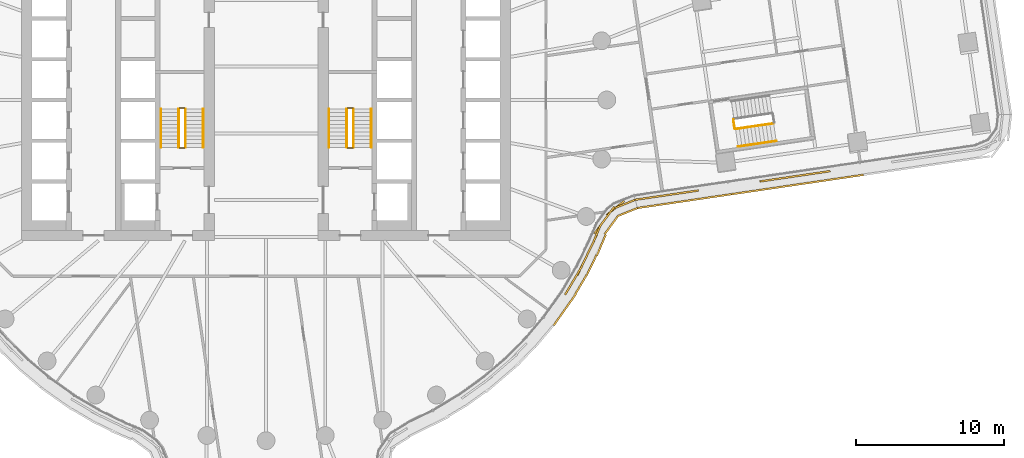
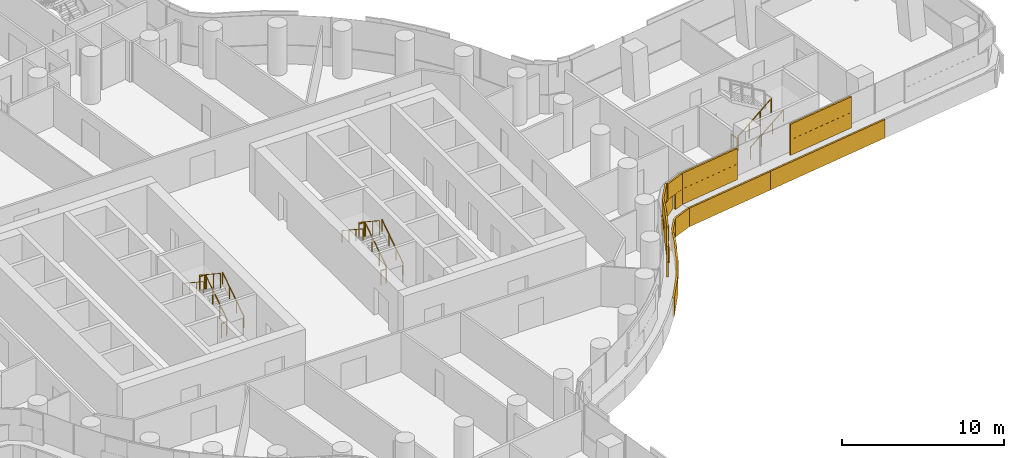
# One storey, part 28 of 31: 15 railings, 3 coverings.
"""IFC4 building model written with IfcOpenShell, lengths in metres."""

import ifcopenshell
import ifcopenshell.guid

model = None  # the IFC model being written
_history = None  # IfcOwnerHistory: only IFC2X3 demands one
_inside = {}  # id of a spatial element -> (the spatial element, [elements in it])
_under = {}  # id of a project, library or spatial element -> (it, [spatial elements below it])
_declared = {}  # id of a project -> (the project, [libraries it declares])
_typed = {}  # id of a type object -> (the type object, [elements of that type])
_made_of = {}  # id of a material, layer set ... -> (it, [elements and type objects made of it])


def new_model(schema):
    """Start an empty IFC model of exactly this schema.

    Asked for "IFC4X3", IfcOpenShell would pick the latest addendum, in which some entities
    have other attributes; the version numbers below select the first issue.
    IFC2X3 requires an IfcOwnerHistory on every rooted entity: one is made here for all.
    """
    global model, _history
    if schema == "IFC4X3":
        model = ifcopenshell.file(schema_version=(4, 3, 0, 0))
    else:
        model = ifcopenshell.file(schema=schema)
    _inside.clear()
    _under.clear()
    _declared.clear()
    _typed.clear()
    _made_of.clear()
    _history = None
    if model.schema == "IFC2X3":
        org = make("IfcOrganization", Name="unknown")
        user = make(
            "IfcPersonAndOrganization",
            ThePerson=make("IfcPerson", FamilyName="unknown"),
            TheOrganization=org,
        )
        app = make(
            "IfcApplication",
            ApplicationDeveloper=org,
            Version="unknown",
            ApplicationFullName="unknown",
            ApplicationIdentifier="unknown",
        )
        _history = make(
            "IfcOwnerHistory",
            OwningUser=user,
            OwningApplication=app,
            ChangeAction="ADDED",
            CreationDate=0,
        )
    return model


def make(cls, **values):
    """One entity of the class cls with the attributes given. An attribute that is None is left unset."""
    return model.create_entity(
        cls, **{name: value for name, value in values.items() if value is not None}
    )


def rooted(cls, **values):
    """An entity with a GlobalId (a new one), such as an element, a storey or a relation."""
    return make(cls, GlobalId=ifcopenshell.guid.new(), OwnerHistory=_history, **values)


def si_unit(unit_type, name, prefix=None):
    """IfcSIUnit, for example si_unit("LENGTHUNIT", "METRE", prefix="MILLI")."""
    return make("IfcSIUnit", UnitType=unit_type, Prefix=prefix, Name=name)


def assignment(units):
    """IfcUnitAssignment: the units of a project."""
    return None if units is None else make("IfcUnitAssignment", Units=units)


def point(xyz):
    """IfcCartesianPoint."""
    return None if xyz is None else make("IfcCartesianPoint", Coordinates=xyz)


def direction(xyz):
    """IfcDirection."""
    return None if xyz is None else make("IfcDirection", DirectionRatios=xyz)


def frame(location, z_axis=None, x_axis=None):
    """IfcAxis2Placement3D, a coordinate frame: its origin and axes. An axis left out is left unset."""
    return make(
        "IfcAxis2Placement3D",
        Location=point(location),
        Axis=direction(z_axis),
        RefDirection=direction(x_axis),
    )


def frame_2d(location, x_axis=None):
    """IfcAxis2Placement2D, a coordinate frame in the plane: its origin and x axis."""
    return make(
        "IfcAxis2Placement2D", Location=point(location), RefDirection=direction(x_axis)
    )


def origin():
    """The frame at (0, 0, 0) with its axes left unset."""
    return frame((0.0, 0.0, 0.0))


def origin_2d():
    """The frame at (0, 0) in the plane with its x axis left unset."""
    return frame_2d((0.0, 0.0))


def place(relative_to, where):
    """IfcLocalPlacement: puts the frame where relative to a parent placement (None: the world)."""
    return make(
        "IfcLocalPlacement", PlacementRelTo=relative_to, RelativePlacement=where
    )


def context(
    kind, dimensions, precision=None, world=None, true_north=None, identifier=None
):
    """IfcGeometricRepresentationContext, for example the 3D "Model" context."""
    return make(
        "IfcGeometricRepresentationContext",
        ContextIdentifier=identifier,
        ContextType=kind,
        CoordinateSpaceDimension=dimensions,
        Precision=precision,
        WorldCoordinateSystem=world,
        TrueNorth=true_north,
    )


def subcontext(parent, identifier, kind, view, scale=None):
    """IfcGeometricRepresentationSubContext, for example "Body" below "Model"."""
    return make(
        "IfcGeometricRepresentationSubContext",
        ContextIdentifier=identifier,
        ContextType=kind,
        ParentContext=parent,
        TargetScale=scale,
        TargetView=view,
    )


def project(units=None, contexts=None):
    """IfcProject with its units and contexts."""
    return rooted(
        "IfcProject",
        Name="project",
        RepresentationContexts=contexts,
        UnitsInContext=assignment(units),
    )


def spatial(cls, under=None, at=None, **own):
    """A site, building, storey or space (cls), placed at a placement, below another one or the project."""
    s = rooted(cls, ObjectPlacement=at, **own)
    if under is not None:
        _under.setdefault(under.id(), (under, []))[1].append(s)
    return s


def profile(cls, at=None, kind="AREA", **sizes):
    """A parametric profile (cls). Its sizes go by their IFC names, for example OverallWidth=200.0."""
    return make(cls, ProfileType=kind, Position=at, **sizes)


def rectangle(**sizes):
    """IfcRectangleProfileDef."""
    return profile("IfcRectangleProfileDef", **sizes)


def circle(**sizes):
    """IfcCircleProfileDef."""
    return profile("IfcCircleProfileDef", **sizes)


def extrude(swept, where, along, depth):
    """IfcExtrudedAreaSolid: the profile swept, set in the frame where, extruded along a direction by depth."""
    return make(
        "IfcExtrudedAreaSolid",
        SweptArea=swept,
        Position=where,
        ExtrudedDirection=direction(along),
        Depth=depth,
    )


def shape(context_of_items, identifier, shape_type, items):
    """IfcShapeRepresentation: the items that make up one representation, for example the "Body"."""
    return make(
        "IfcShapeRepresentation",
        ContextOfItems=context_of_items,
        RepresentationIdentifier=identifier,
        RepresentationType=shape_type,
        Items=items,
    )


def material(Name=None, Category=None):
    """IfcMaterial."""
    return make("IfcMaterial", Name=Name, Category=Category)


def layer(
    of_material, thickness, ventilated=None, Name=None, Category=None, Priority=None
):
    """IfcMaterialLayer: one layer of a wall or slab, of a material (None: an air gap)."""
    return make(
        "IfcMaterialLayer",
        Material=of_material,
        LayerThickness=thickness,
        IsVentilated=ventilated,
        Name=Name,
        Category=Category,
        Priority=Priority,
    )


def layer_set(layers, Name=None):
    """IfcMaterialLayerSet."""
    return make("IfcMaterialLayerSet", MaterialLayers=layers, LayerSetName=Name)


def made_of(thing, what):
    """Note that an element or type object is made of a material, layer set ...; save() writes the relation."""
    if what is not None:
        _made_of.setdefault(what.id(), (what, []))[1].append(thing)
    return thing


def type_object(cls, material=None, **own):
    """A type object (cls), such as IfcWallType, which elements share."""
    return made_of(rooted(cls, **own), material)


def element(
    cls,
    number,
    at=None,
    inside=None,
    cuts=None,
    type_object=None,
    material=None,
    context=None,
    identifier="Body",
    shape_type=None,
    held_by="IfcProductDefinitionShape",
    body=None,
    shapes=None,
    **own,
):
    """One element of the class cls, such as IfcWall. Its Tag is "e" and its number.

    at: its placement. inside: the storey or other place that contains it. cuts: it is an
    opening in that element (IfcRelVoidsElement). A single representation is given by context,
    identifier, shape_type and body (its items); several are given by shapes. held_by: the class
    of the entity that holds the representations. save() writes the other relations.
    """
    e = rooted(cls, Tag="e%d" % number, ObjectPlacement=at, **own)
    if body is not None:
        shapes = [shape(context, identifier, shape_type, body)]
    if shapes is not None:
        e.Representation = make(held_by, Representations=shapes)
    if inside is not None:
        _inside.setdefault(inside.id(), (inside, []))[1].append(e)
    if cuts is not None:
        rooted(
            "IfcRelVoidsElement", RelatingBuildingElement=cuts, RelatedOpeningElement=e
        )
    if type_object is not None:
        _typed.setdefault(type_object.id(), (type_object, []))[1].append(e)
    return made_of(e, material)


def aggregate(whole, parts):
    """IfcRelAggregates: a whole, such as a stair, and the parts it consists of."""
    return rooted("IfcRelAggregates", RelatingObject=whole, RelatedObjects=parts)


def save(model, path):
    """Write the relations noted so far, then the file.

    IfcRelAggregates (storeys below a building ...), IfcRelContainedInSpatialStructure (elements
    in a storey), IfcRelDefinesByType, IfcRelAssociatesMaterial and IfcRelDeclares: one each for
    every whole, place, type object, material and project.
    """
    for whole, parts in _under.values():
        aggregate(whole, parts)
    for where, things in _inside.values():
        rooted(
            "IfcRelContainedInSpatialStructure",
            RelatedElements=things,
            RelatingStructure=where,
        )
    for kind, things in _typed.values():
        rooted("IfcRelDefinesByType", RelatedObjects=things, RelatingType=kind)
    for what, things in _made_of.values():
        rooted("IfcRelAssociatesMaterial", RelatedObjects=things, RelatingMaterial=what)
    for by, libraries in _declared.values():
        rooted("IfcRelDeclares", RelatingContext=by, RelatedDefinitions=libraries)
    model.write(path)


model = new_model("IFC4")

# Units and contexts
model_context = context("Model", 3, precision=1e-05, world=origin(), true_north=direction((0.0, 1.0)))
body_context = subcontext(model_context, "Body", "Model", "MODEL_VIEW")
ifc_project = project(units=[si_unit("LENGTHUNIT", "METRE"), si_unit("AREAUNIT", "SQUARE_METRE"), si_unit("VOLUMEUNIT", "CUBIC_METRE"), si_unit("PLANEANGLEUNIT", "RADIAN"), si_unit("MASSUNIT", "GRAM", prefix="KILO")], contexts=[model_context])

# Site, building, storey
site_placement = place(None, origin())
site = spatial("IfcSite", under=ifc_project, at=site_placement, CompositionType="ELEMENT")
building_placement = place(site_placement, origin())
building = spatial("IfcBuilding", under=site, at=building_placement, Name="Tamarind Cross Interchange Tower", CompositionType="ELEMENT")
storey_placement = place(building_placement, frame((0.0, 0.0, 64.0)))
storey = spatial("IfcBuildingStorey", under=building, at=storey_placement, Name="L14", CompositionType="ELEMENT", Elevation=64.0)

# Railings
ifc_material_1 = material(Name="Stair guard")
railing_type_1 = type_object("IfcRailingType", Name="Stair guard", PredefinedType="GUARDRAIL", material=ifc_material_1)
railing_1_placement = place(storey_placement, frame((-5.449951171875, -3.199951171875, 0.17041015625)))
element("IfcRailing", 1, at=railing_1_placement, inside=storey, type_object=railing_type_1, Name="L14 ST1 stair guard 1", PredefinedType="GUARDRAIL", context=body_context, shape_type="SweptSolid", body=[
    extrude(circle(Radius=0.02392578125, at=origin_2d()), frame((0.0, 0.0, 1.076171875), z_axis=(0.0, 0.836278606002, 0.548304744775), x_axis=(-1.0, 0.0, 0.0)), (0.0, 0.0, 1.0), 3.10888671875),
    extrude(circle(Radius=0.02099609375, at=origin_2d()), origin(), (0.0, 0.0, 1.0), 1.052001953125),
    extrude(circle(Radius=0.02099609375, at=origin_2d()), frame((0.0, 0.86669921875, 0.568115234375)), (0.0, 0.0, 1.0), 1.052001953125),
    extrude(circle(Radius=0.02099609375, at=origin_2d()), frame((0.0, 1.733154296875, 1.136474609375)), (0.0, 0.0, 1.0), 1.052001953125),
    extrude(circle(Radius=0.02099609375, at=origin_2d()), frame((0.0, 2.599853515625, 1.70458984375)), (0.0, 0.0, 1.0), 1.052001953125),
])
railing_2_placement = place(storey_placement, frame((-5.5, -0.550048828125, 1.875)))
element("IfcRailing", 2, at=railing_2_placement, inside=storey, type_object=railing_type_1, Name="L14 ST1 stair guard 2", PredefinedType="GUARDRAIL", context=body_context, shape_type="SweptSolid", body=[
    extrude(circle(Radius=0.02392578125, at=origin_2d()), frame((0.0, 0.0, 1.076171875), z_axis=(-1.0, 0.0, 0.0), x_axis=(0.0, -1.0, 0.0)), (0.0, 0.0, 1.0), 0.35009765625),
    extrude(circle(Radius=0.02099609375, at=origin_2d()), origin(), (0.0, 0.0, 1.0), 1.052001953125),
    extrude(circle(Radius=0.02099609375, at=origin_2d()), frame((-0.35009765625, 0.0, 0.0)), (0.0, 0.0, 1.0), 1.052001953125),
])
railing_3_placement = place(storey_placement, frame((-5.89990234375, -0.60009765625, 2.04541015625)))
element("IfcRailing", 3, at=railing_3_placement, inside=storey, type_object=railing_type_1, Name="L14 ST1 stair guard 3", PredefinedType="GUARDRAIL", context=body_context, shape_type="SweptSolid", body=[
    extrude(circle(Radius=0.02392578125, at=origin_2d()), frame((0.0, 0.0, 1.076171875), z_axis=(0.0, -0.836278606002, 0.548304744775), x_axis=(1.0, 0.0, 0.0)), (0.0, 0.0, 1.0), 3.10888671875),
    extrude(circle(Radius=0.02099609375, at=origin_2d()), origin(), (0.0, 0.0, 1.0), 1.052001953125),
    extrude(circle(Radius=0.02099609375, at=origin_2d()), frame((0.0, -0.86669921875, 0.568115234375)), (0.0, 0.0, 1.0), 1.052001953125),
    extrude(circle(Radius=0.02099609375, at=origin_2d()), frame((0.0, -1.733154296875, 1.136474609375)), (0.0, 0.0, 1.0), 1.052001953125),
    extrude(circle(Radius=0.02099609375, at=origin_2d()), frame((0.0, -2.599853515625, 1.70458984375)), (0.0, 0.0, 1.0), 1.052001953125),
])
railing_4_placement = place(storey_placement, frame((-5.5, -3.25, 0.0)))
element("IfcRailing", 4, at=railing_4_placement, inside=storey, type_object=railing_type_1, Name="L14 ST1 stair guard 4", PredefinedType="GUARDRAIL", context=body_context, shape_type="SweptSolid", body=[
    extrude(circle(Radius=0.02392578125, at=origin_2d()), frame((0.0, 0.0, 1.076171875), z_axis=(-1.0, 0.0, 0.0), x_axis=(0.0, -1.0, 0.0)), (0.0, 0.0, 1.0), 0.35009765625),
    extrude(circle(Radius=0.02099609375, at=origin_2d()), origin(), (0.0, 0.0, 1.0), 1.052001953125),
    extrude(circle(Radius=0.02099609375, at=origin_2d()), frame((-0.35009765625, 0.0, 0.0)), (0.0, 0.0, 1.0), 1.052001953125),
])
railing_5_placement = place(storey_placement, frame((5.89990234375, -3.199951171875, 0.17041015625)))
element("IfcRailing", 5, at=railing_5_placement, inside=storey, type_object=railing_type_1, Name="L14 ST2 stair guard 1", PredefinedType="GUARDRAIL", context=body_context, shape_type="SweptSolid", body=[
    extrude(circle(Radius=0.02392578125, at=origin_2d()), frame((0.0, 0.0, 1.076171875), z_axis=(0.0, 0.836278606002, 0.548304744775), x_axis=(-1.0, 0.0, 0.0)), (0.0, 0.0, 1.0), 3.10888671875),
    extrude(circle(Radius=0.02099609375, at=origin_2d()), origin(), (0.0, 0.0, 1.0), 1.052001953125),
    extrude(circle(Radius=0.02099609375, at=origin_2d()), frame((0.0, 0.86669921875, 0.568115234375)), (0.0, 0.0, 1.0), 1.052001953125),
    extrude(circle(Radius=0.02099609375, at=origin_2d()), frame((0.0, 1.733154296875, 1.136474609375)), (0.0, 0.0, 1.0), 1.052001953125),
    extrude(circle(Radius=0.02099609375, at=origin_2d()), frame((0.0, 2.599853515625, 1.70458984375)), (0.0, 0.0, 1.0), 1.052001953125),
])
railing_6_placement = place(storey_placement, frame((5.85009765625, -0.550048828125, 1.875)))
element("IfcRailing", 6, at=railing_6_placement, inside=storey, type_object=railing_type_1, Name="L14 ST2 stair guard 2", PredefinedType="GUARDRAIL", context=body_context, shape_type="SweptSolid", body=[
    extrude(circle(Radius=0.02392578125, at=origin_2d()), frame((0.0, 0.0, 1.076171875), z_axis=(-1.0, 0.0, 0.0), x_axis=(0.0, -1.0, 0.0)), (0.0, 0.0, 1.0), 0.35009765625),
    extrude(circle(Radius=0.02099609375, at=origin_2d()), origin(), (0.0, 0.0, 1.0), 1.052001953125),
    extrude(circle(Radius=0.02099609375, at=origin_2d()), frame((-0.35009765625, 0.0, 0.0)), (0.0, 0.0, 1.0), 1.052001953125),
])
railing_7_placement = place(storey_placement, frame((5.449951171875, -0.60009765625, 2.04541015625)))
element("IfcRailing", 7, at=railing_7_placement, inside=storey, type_object=railing_type_1, Name="L14 ST2 stair guard 3", PredefinedType="GUARDRAIL", context=body_context, shape_type="SweptSolid", body=[
    extrude(circle(Radius=0.02392578125, at=origin_2d()), frame((0.0, 0.0, 1.076171875), z_axis=(0.0, -0.836278606002, 0.548304744775), x_axis=(1.0, 0.0, 0.0)), (0.0, 0.0, 1.0), 3.10888671875),
    extrude(circle(Radius=0.02099609375, at=origin_2d()), origin(), (0.0, 0.0, 1.0), 1.052001953125),
    extrude(circle(Radius=0.02099609375, at=origin_2d()), frame((0.0, -0.86669921875, 0.568115234375)), (0.0, 0.0, 1.0), 1.052001953125),
    extrude(circle(Radius=0.02099609375, at=origin_2d()), frame((0.0, -1.733154296875, 1.136474609375)), (0.0, 0.0, 1.0), 1.052001953125),
    extrude(circle(Radius=0.02099609375, at=origin_2d()), frame((0.0, -2.599853515625, 1.70458984375)), (0.0, 0.0, 1.0), 1.052001953125),
])
railing_8_placement = place(storey_placement, frame((5.85009765625, -3.25, 0.0)))
element("IfcRailing", 8, at=railing_8_placement, inside=storey, type_object=railing_type_1, Name="L14 ST2 stair guard 4", PredefinedType="GUARDRAIL", context=body_context, shape_type="SweptSolid", body=[
    extrude(circle(Radius=0.02392578125, at=origin_2d()), frame((0.0, 0.0, 1.076171875), z_axis=(-1.0, 0.0, 0.0), x_axis=(0.0, -1.0, 0.0)), (0.0, 0.0, 1.0), 0.35009765625),
    extrude(circle(Radius=0.02099609375, at=origin_2d()), origin(), (0.0, 0.0, 1.0), 1.052001953125),
    extrude(circle(Radius=0.02099609375, at=origin_2d()), frame((-0.35009765625, 0.0, 0.0)), (0.0, 0.0, 1.0), 1.052001953125),
])
railing_9_placement = place(storey_placement, frame((31.688232421875, -1.962646484375, 0.17041015625)))
element("IfcRailing", 9, at=railing_9_placement, inside=storey, type_object=railing_type_1, Name="L14 ST3 stair guard 1", PredefinedType="GUARDRAIL", context=body_context, shape_type="SweptSolid", body=[
    extrude(circle(Radius=0.02392578125, at=origin_2d()), frame((0.0, 0.0, 1.076171875), z_axis=(0.827390559983, 0.121642746528, 0.548295452715), x_axis=(-0.145456142844, 0.989364700456, 0.0)), (0.0, 0.0, 1.0), 3.10888671875),
    extrude(circle(Radius=0.02099609375, at=origin_2d()), origin(), (0.0, 0.0, 1.0), 1.052001953125),
    extrude(circle(Radius=0.02099609375, at=origin_2d()), frame((0.857421875, 0.1259765625, 0.568115234375)), (0.0, 0.0, 1.0), 1.052001953125),
    extrude(circle(Radius=0.02099609375, at=origin_2d()), frame((1.71484375, 0.252197265625, 1.136474609375)), (0.0, 0.0, 1.0), 1.052001953125),
    extrude(circle(Radius=0.02099609375, at=origin_2d()), frame((2.572265625, 0.378173828125, 1.70458984375)), (0.0, 0.0, 1.0), 1.052001953125),
])
railing_10_placement = place(storey_placement, frame((31.63134765625, -1.92041015625, 0.0)))
element("IfcRailing", 10, at=railing_10_placement, inside=storey, type_object=railing_type_1, Name="L14 ST3 stair guard 4", PredefinedType="GUARDRAIL", context=body_context, shape_type="SweptSolid", body=[
    extrude(circle(Radius=0.02392578125, at=origin_2d()), frame((0.0, 0.0, 1.076171875), z_axis=(-0.145236318611, 0.98939699401, 0.0), x_axis=(-0.98939699401, -0.145236318611, 0.0)), (0.0, 0.0, 1.0), 0.60009765625),
    extrude(circle(Radius=0.02099609375, at=origin_2d()), origin(), (0.0, 0.0, 1.0), 1.052001953125),
    extrude(circle(Radius=0.02099609375, at=origin_2d()), frame((-0.087158203125, 0.59375, 0.0)), (0.0, 0.0, 1.0), 1.052001953125),
])
ifc_material_2 = material(Name="Stair handrail")
railing_type_2 = type_object("IfcRailingType", Name="Stair handrail", PredefinedType="HANDRAIL", material=ifc_material_2)
railing_11_placement = place(storey_placement, frame((-4.25, -3.199951171875, 0.17041015625)))
element("IfcRailing", 11, at=railing_11_placement, inside=storey, type_object=railing_type_2, Name="L14 ST1 stair handrail 1", PredefinedType="HANDRAIL", context=body_context, shape_type="SweptSolid", body=[
    extrude(circle(Radius=0.02392578125, at=origin_2d()), frame((0.0, 0.0, 0.8759765625), z_axis=(0.0, 0.836278606002, 0.548304744775), x_axis=(-1.0, 0.0, 0.0)), (0.0, 0.0, 1.0), 3.10888671875),
    extrude(circle(Radius=0.02099609375, at=origin_2d()), origin(), (0.0, 0.0, 1.0), 0.851806640625),
    extrude(circle(Radius=0.02099609375, at=origin_2d()), frame((0.0, 0.86669921875, 0.568115234375)), (0.0, 0.0, 1.0), 0.851806640625),
    extrude(circle(Radius=0.02099609375, at=origin_2d()), frame((0.0, 1.733154296875, 1.136474609375)), (0.0, 0.0, 1.0), 0.851806640625),
    extrude(circle(Radius=0.02099609375, at=origin_2d()), frame((0.0, 2.599853515625, 1.70458984375)), (0.0, 0.0, 1.0), 0.851806640625),
])
railing_12_placement = place(storey_placement, frame((-7.10009765625, -0.60009765625, 2.04541015625)))
element("IfcRailing", 12, at=railing_12_placement, inside=storey, type_object=railing_type_2, Name="L14 ST1 stair handrail 2", PredefinedType="HANDRAIL", context=body_context, shape_type="SweptSolid", body=[
    extrude(circle(Radius=0.02392578125, at=origin_2d()), frame((0.0, 0.0, 0.8759765625), z_axis=(0.0, -0.836278606002, 0.548304744775), x_axis=(1.0, 0.0, 0.0)), (0.0, 0.0, 1.0), 3.10888671875),
    extrude(circle(Radius=0.02099609375, at=origin_2d()), origin(), (0.0, 0.0, 1.0), 0.851806640625),
    extrude(circle(Radius=0.02099609375, at=origin_2d()), frame((0.0, -0.86669921875, 0.568115234375)), (0.0, 0.0, 1.0), 0.851806640625),
    extrude(circle(Radius=0.02099609375, at=origin_2d()), frame((0.0, -1.733154296875, 1.136474609375)), (0.0, 0.0, 1.0), 0.851806640625),
    extrude(circle(Radius=0.02099609375, at=origin_2d()), frame((0.0, -2.599853515625, 1.70458984375)), (0.0, 0.0, 1.0), 0.851806640625),
])
railing_13_placement = place(storey_placement, frame((7.10009765625, -3.199951171875, 0.17041015625)))
element("IfcRailing", 13, at=railing_13_placement, inside=storey, type_object=railing_type_2, Name="L14 ST2 stair handrail 1", PredefinedType="HANDRAIL", context=body_context, shape_type="SweptSolid", body=[
    extrude(circle(Radius=0.02392578125, at=origin_2d()), frame((0.0, 0.0, 0.8759765625), z_axis=(0.0, 0.836278606002, 0.548304744775), x_axis=(-1.0, 0.0, 0.0)), (0.0, 0.0, 1.0), 3.10888671875),
    extrude(circle(Radius=0.02099609375, at=origin_2d()), origin(), (0.0, 0.0, 1.0), 0.851806640625),
    extrude(circle(Radius=0.02099609375, at=origin_2d()), frame((0.0, 0.86669921875, 0.568115234375)), (0.0, 0.0, 1.0), 0.851806640625),
    extrude(circle(Radius=0.02099609375, at=origin_2d()), frame((0.0, 1.733154296875, 1.136474609375)), (0.0, 0.0, 1.0), 0.851806640625),
    extrude(circle(Radius=0.02099609375, at=origin_2d()), frame((0.0, 2.599853515625, 1.70458984375)), (0.0, 0.0, 1.0), 0.851806640625),
])
railing_14_placement = place(storey_placement, frame((4.25, -0.60009765625, 2.04541015625)))
element("IfcRailing", 14, at=railing_14_placement, inside=storey, type_object=railing_type_2, Name="L14 ST2 stair handrail 2", PredefinedType="HANDRAIL", context=body_context, shape_type="SweptSolid", body=[
    extrude(circle(Radius=0.02392578125, at=origin_2d()), frame((0.0, 0.0, 0.8759765625), z_axis=(0.0, -0.836278606002, 0.548304744775), x_axis=(1.0, 0.0, 0.0)), (0.0, 0.0, 1.0), 3.10888671875),
    extrude(circle(Radius=0.02099609375, at=origin_2d()), origin(), (0.0, 0.0, 1.0), 0.851806640625),
    extrude(circle(Radius=0.02099609375, at=origin_2d()), frame((0.0, -0.86669921875, 0.568115234375)), (0.0, 0.0, 1.0), 0.851806640625),
    extrude(circle(Radius=0.02099609375, at=origin_2d()), frame((0.0, -1.733154296875, 1.136474609375)), (0.0, 0.0, 1.0), 0.851806640625),
    extrude(circle(Radius=0.02099609375, at=origin_2d()), frame((0.0, -2.599853515625, 1.70458984375)), (0.0, 0.0, 1.0), 0.851806640625),
])
railing_15_placement = place(storey_placement, frame((31.862548828125, -3.149658203125, 0.17041015625)))
element("IfcRailing", 15, at=railing_15_placement, inside=storey, type_object=railing_type_2, Name="L14 ST3 stair handrail 1", PredefinedType="HANDRAIL", context=body_context, shape_type="SweptSolid", body=[
    extrude(circle(Radius=0.02392578125, at=origin_2d()), frame((0.0, 0.0, 0.8759765625), z_axis=(0.82742322833, 0.121557479117, 0.548265064079), x_axis=(-0.145350720335, 0.989380193908, 0.0)), (0.0, 0.0, 1.0), 3.109130859375),
    extrude(circle(Radius=0.02099609375, at=origin_2d()), origin(), (0.0, 0.0, 1.0), 0.851806640625),
    extrude(circle(Radius=0.02099609375, at=origin_2d()), frame((0.857421875, 0.1259765625, 0.568115234375)), (0.0, 0.0, 1.0), 0.851806640625),
    extrude(circle(Radius=0.02099609375, at=origin_2d()), frame((1.715087890625, 0.251953125, 1.136474609375)), (0.0, 0.0, 1.0), 0.851806640625),
    extrude(circle(Radius=0.02099609375, at=origin_2d()), frame((2.572509765625, 0.3779296875, 1.70458984375)), (0.0, 0.0, 1.0), 0.851806640625),
])

# Coverings
ifc_material_3 = material(Name="Terracotta", Category="masonry")
ifc_layer = layer(ifc_material_3, 0.1201171875)
ifc_layer_set = layer_set([ifc_layer], Name="Terracotta")
covering_type = type_object("IfcCoveringType", Name="Terracotta baguette screen unit", PredefinedType="MOLDING", material=ifc_layer_set)
covering_1_placement = place(storey_placement, origin())
element("IfcCovering", 16, at=covering_1_placement, inside=storey, type_object=covering_type, Name="SCR-L14-06-01", PredefinedType="MOLDING", context=body_context, shape_type="SweptSolid", body=[
    extrude(rectangle(XDim=1.52001953125, YDim=0.1201171875, at=origin_2d()), frame((20.6025390625, -12.439697265625, 1.404052734375), z_axis=(0.0, 0.0, 1.0), x_axis=(0.508183308752, 0.861248933065, 0.0)), (0.0, 0.0, 1.0), 1.1669921875),
    extrude(rectangle(XDim=1.52001953125, YDim=0.1201171875, at=origin_2d()), frame((21.345703125, -11.137451171875, 1.404052734375), z_axis=(0.0, 0.0, 1.0), x_axis=(0.435326231914, 0.900272776334, 0.0)), (0.0, 0.0, 1.0), 1.1669921875),
    extrude(rectangle(XDim=1.52001953125, YDim=0.1201171875, at=origin_2d()), frame((21.998779296875, -9.787109375, 1.404052734375), z_axis=(0.0, 0.0, 1.0), x_axis=(0.435326231914, 0.900272776334, 0.0)), (0.0, 0.0, 1.0), 1.1669921875),
    extrude(rectangle(XDim=1.52001953125, YDim=0.1201171875, at=origin_2d()), frame((22.610595703125, -8.419921875, 1.404052734375), z_axis=(0.0, 0.0, 1.0), x_axis=(0.593380142878, 0.804922360255, 0.0)), (0.0, 0.0, 1.0), 1.1669921875),
    extrude(rectangle(XDim=1.52001953125, YDim=0.1201171875, at=origin_2d()), frame((23.583740234375, -7.292724609375, 1.404052734375), z_axis=(0.0, 0.0, 1.0), x_axis=(0.78237662256, 0.622805604079, 0.0)), (0.0, 0.0, 1.0), 1.1669921875),
    extrude(rectangle(XDim=0.70751953125, YDim=0.1201171875, at=origin_2d()), frame((24.59521484375, -6.868408203125, 1.404052734375), z_axis=(0.0, 0.0, 1.0), x_axis=(0.92679129086, 0.37557676071, 0.0)), (0.0, 0.0, 1.0), 1.1669921875),
    extrude(rectangle(XDim=0.831298828125, YDim=0.1201171875, at=origin_2d()), frame((20.393798828125, -12.793212890625, 2.5791015625), z_axis=(0.0, 0.0, 1.0), x_axis=(0.508183308752, 0.861248933065, 0.0)), (0.0, 0.0, 1.0), 1.1669921875),
    extrude(rectangle(XDim=1.52001953125, YDim=0.1201171875, at=origin_2d()), frame((20.983642578125, -11.793701171875, 2.5791015625), z_axis=(0.0, 0.0, 1.0), x_axis=(0.508183308752, 0.861248933065, 0.0)), (0.0, 0.0, 1.0), 1.1669921875),
    extrude(rectangle(XDim=1.52001953125, YDim=0.1201171875, at=origin_2d()), frame((21.672119140625, -10.46240234375, 2.5791015625), z_axis=(0.0, 0.0, 1.0), x_axis=(0.435326231914, 0.900272776334, 0.0)), (0.0, 0.0, 1.0), 1.1669921875),
    extrude(rectangle(XDim=1.52001953125, YDim=0.1201171875, at=origin_2d()), frame((22.301513671875, -9.101318359375, 2.5791015625), z_axis=(0.0, 0.0, 1.0), x_axis=(0.390009138618, 0.920810985922, 0.0)), (0.0, 0.0, 1.0), 1.1669921875),
    extrude(rectangle(XDim=1.52001953125, YDim=0.1201171875, at=origin_2d()), frame((23.0556640625, -7.81640625, 2.5791015625), z_axis=(0.0, 0.0, 1.0), x_axis=(0.593380142878, 0.804922360255, 0.0)), (0.0, 0.0, 1.0), 1.1669921875),
    extrude(rectangle(XDim=1.45751953125, YDim=0.1201171875, at=origin_2d()), frame((24.24755859375, -7.009033203125, 2.5791015625), z_axis=(0.0, 0.0, 1.0), x_axis=(0.92679129086, 0.37557676071, 0.0)), (0.0, 0.0, 1.0), 1.1669921875),
    extrude(rectangle(XDim=1.07080078125, YDim=0.1201171875, at=origin_2d()), frame((19.72900390625, -14.775390625, 0.00390625), z_axis=(0.0, 0.0, 1.0), x_axis=(0.577568978284, 0.816341886298, 0.0)), (0.0, 0.0, 1.0), 1.39208984375),
    extrude(rectangle(XDim=1.52001953125, YDim=0.1201171875, at=origin_2d()), frame((20.465576171875, -13.734375, 0.00390625), z_axis=(0.0, 0.0, 1.0), x_axis=(0.577568978284, 0.816341886298, 0.0)), (0.0, 0.0, 1.0), 1.39208984375),
    extrude(rectangle(XDim=1.52001953125, YDim=0.1201171875, at=origin_2d()), frame((21.25634765625, -12.4609375, 0.00390625), z_axis=(0.0, 0.0, 1.0), x_axis=(0.508183308752, 0.861248933065, 0.0)), (0.0, 0.0, 1.0), 1.39208984375),
    extrude(rectangle(XDim=1.52001953125, YDim=0.1201171875, at=origin_2d()), frame((21.978515625, -11.1474609375, 0.00390625), z_axis=(0.0, 0.0, 1.0), x_axis=(0.435326231914, 0.900272776334, 0.0)), (0.0, 0.0, 1.0), 1.39208984375),
    extrude(rectangle(XDim=1.52001953125, YDim=0.1201171875, at=origin_2d()), frame((22.63037109375, -9.796630859375, 0.00390625), z_axis=(0.0, 0.0, 1.0), x_axis=(0.390009138618, 0.920810985922, 0.0)), (0.0, 0.0, 1.0), 1.39208984375),
    extrude(rectangle(XDim=1.52001953125, YDim=0.1201171875, at=origin_2d()), frame((23.294189453125, -8.460205078125, 0.00390625), z_axis=(0.0, 0.0, 1.0), x_axis=(0.593380142878, 0.804922360255, 0.0)), (0.0, 0.0, 1.0), 1.39208984375),
    extrude(rectangle(XDim=1.447265625, YDim=0.1201171875, at=origin_2d()), frame((24.3994140625, -7.56689453125, 0.00390625), z_axis=(0.0, 0.0, 1.0), x_axis=(0.92679129086, 0.37557676071, 0.0)), (0.0, 0.0, 1.0), 1.39208984375),
])
covering_2_placement = place(storey_placement, origin())
element("IfcCovering", 17, at=covering_2_placement, inside=storey, type_object=covering_type, Name="SCR-L14-07-00", PredefinedType="MOLDING", context=body_context, shape_type="SweptSolid", body=[
    extrude(rectangle(XDim=1.510009765625, YDim=0.1201171875, at=origin_2d()), frame((25.660400390625, -6.62841796875, 1.404052734375), z_axis=(0.0, 0.0, 1.0), x_axis=(0.989378136803, 0.14536472205, 0.0)), (0.0, 0.0, 1.0), 1.1669921875),
    extrude(rectangle(XDim=1.52001953125, YDim=0.1201171875, at=origin_2d()), frame((27.14453125, -6.41015625, 1.404052734375), z_axis=(0.0, 0.0, 1.0), x_axis=(0.989378136803, 0.14536472205, 0.0)), (0.0, 0.0, 1.0), 1.1669921875),
    extrude(rectangle(XDim=1.313232421875, YDim=0.1201171875, at=origin_2d()), frame((28.531005859375, -6.20654296875, 1.404052734375), z_axis=(0.0, 0.0, 1.0), x_axis=(0.989378136803, 0.14536472205, 0.0)), (0.0, 0.0, 1.0), 1.1669921875),
    extrude(rectangle(XDim=0.760009765625, YDim=0.1201171875, at=origin_2d()), frame((25.289306640625, -6.682861328125, 2.5791015625), z_axis=(0.0, 0.0, 1.0), x_axis=(0.989378136803, 0.14536472205, 0.0)), (0.0, 0.0, 1.0), 1.1669921875),
    extrude(rectangle(XDim=1.52001953125, YDim=0.1201171875, at=origin_2d()), frame((26.40234375, -6.519287109375, 2.5791015625), z_axis=(0.0, 0.0, 1.0), x_axis=(0.989378136803, 0.14536472205, 0.0)), (0.0, 0.0, 1.0), 1.1669921875),
    extrude(rectangle(XDim=1.52001953125, YDim=0.1201171875, at=origin_2d()), frame((27.886474609375, -6.30126953125, 2.5791015625), z_axis=(0.0, 0.0, 1.0), x_axis=(0.989378136803, 0.14536472205, 0.0)), (0.0, 0.0, 1.0), 1.1669921875),
    extrude(rectangle(XDim=0.563232421875, YDim=0.1201171875, at=origin_2d()), frame((28.902099609375, -6.152099609375, 2.5791015625), z_axis=(0.0, 0.0, 1.0), x_axis=(0.989378136803, 0.14536472205, 0.0)), (0.0, 0.0, 1.0), 1.1669921875),
    extrude(rectangle(XDim=1.510009765625, YDim=0.1201171875, at=origin_2d()), frame((25.81689453125, -7.185546875, 0.00390625), z_axis=(0.0, 0.0, 1.0), x_axis=(0.989378136803, 0.14536472205, 0.0)), (0.0, 0.0, 1.0), 1.39208984375),
    extrude(rectangle(XDim=1.52001953125, YDim=0.1201171875, at=origin_2d()), frame((27.296142578125, -6.96826171875, 0.00390625), z_axis=(0.0, 0.0, 1.0), x_axis=(0.989378136803, 0.14536472205, 0.0)), (0.0, 0.0, 1.0), 1.39208984375),
    extrude(rectangle(XDim=1.52001953125, YDim=0.1201171875, at=origin_2d()), frame((28.7802734375, -6.75, 0.00390625), z_axis=(0.0, 0.0, 1.0), x_axis=(0.989378136803, 0.14536472205, 0.0)), (0.0, 0.0, 1.0), 1.39208984375),
    extrude(rectangle(XDim=1.52001953125, YDim=0.1201171875, at=origin_2d()), frame((30.26416015625, -6.531982421875, 0.00390625), z_axis=(0.0, 0.0, 1.0), x_axis=(0.989378136803, 0.14536472205, 0.0)), (0.0, 0.0, 1.0), 1.39208984375),
    extrude(rectangle(XDim=0.4150390625, YDim=0.1201171875, at=origin_2d()), frame((31.20166015625, -6.394287109375, 0.00390625), z_axis=(0.0, 0.0, 1.0), x_axis=(0.989378136803, 0.14536472205, 0.0)), (0.0, 0.0, 1.0), 1.39208984375),
])
covering_3_placement = place(storey_placement, origin())
element("IfcCovering", 18, at=covering_3_placement, inside=storey, type_object=covering_type, Name="SCR-L14-07-01", PredefinedType="MOLDING", context=body_context, shape_type="SweptSolid", body=[
    extrude(rectangle(XDim=0.5068359375, YDim=0.1201171875, at=origin_2d()), frame((33.576904296875, -5.465087890625, 1.404052734375), z_axis=(0.0, 0.0, 1.0), x_axis=(0.989378136803, 0.14536472205, 0.0)), (0.0, 0.0, 1.0), 1.1669921875),
    extrude(rectangle(XDim=1.52001953125, YDim=0.1201171875, at=origin_2d()), frame((34.564697265625, -5.320068359375, 1.404052734375), z_axis=(0.0, 0.0, 1.0), x_axis=(0.989378136803, 0.14536472205, 0.0)), (0.0, 0.0, 1.0), 1.1669921875),
    extrude(rectangle(XDim=1.52001953125, YDim=0.1201171875, at=origin_2d()), frame((36.048828125, -5.10205078125, 1.404052734375), z_axis=(0.0, 0.0, 1.0), x_axis=(0.989378136803, 0.14536472205, 0.0)), (0.0, 0.0, 1.0), 1.1669921875),
    extrude(rectangle(XDim=1.3134765625, YDim=0.1201171875, at=origin_2d()), frame((37.435791015625, -4.898193359375, 1.404052734375), z_axis=(0.0, 0.0, 1.0), x_axis=(0.989378136803, 0.14536472205, 0.0)), (0.0, 0.0, 1.0), 1.1669921875),
    extrude(rectangle(XDim=1.2568359375, YDim=0.1201171875, at=origin_2d()), frame((33.947998046875, -5.41064453125, 2.5791015625), z_axis=(0.0, 0.0, 1.0), x_axis=(0.989378136803, 0.14536472205, 0.0)), (0.0, 0.0, 1.0), 1.1669921875),
    extrude(rectangle(XDim=1.52001953125, YDim=0.1201171875, at=origin_2d()), frame((35.306884765625, -5.2109375, 2.5791015625), z_axis=(0.0, 0.0, 1.0), x_axis=(0.989378136803, 0.14536472205, 0.0)), (0.0, 0.0, 1.0), 1.1669921875),
    extrude(rectangle(XDim=1.52001953125, YDim=0.1201171875, at=origin_2d()), frame((36.790771484375, -4.992919921875, 2.5791015625), z_axis=(0.0, 0.0, 1.0), x_axis=(0.989378136803, 0.14536472205, 0.0)), (0.0, 0.0, 1.0), 1.1669921875),
    extrude(rectangle(XDim=0.5634765625, YDim=0.1201171875, at=origin_2d()), frame((37.806640625, -4.84375, 2.5791015625), z_axis=(0.0, 0.0, 1.0), x_axis=(0.989378136803, 0.14536472205, 0.0)), (0.0, 0.0, 1.0), 1.1669921875),
    extrude(rectangle(XDim=1.10498046875, YDim=0.1201171875, at=origin_2d()), frame((31.95361328125, -6.283935546875, 0.00390625), z_axis=(0.0, 0.0, 1.0), x_axis=(0.989378136803, 0.14536472205, 0.0)), (0.0, 0.0, 1.0), 1.39208984375),
    extrude(rectangle(XDim=1.52001953125, YDim=0.1201171875, at=origin_2d()), frame((33.232421875, -6.095947265625, 0.00390625), z_axis=(0.0, 0.0, 1.0), x_axis=(0.989378136803, 0.14536472205, 0.0)), (0.0, 0.0, 1.0), 1.39208984375),
    extrude(rectangle(XDim=1.52001953125, YDim=0.1201171875, at=origin_2d()), frame((34.71630859375, -5.8779296875, 0.00390625), z_axis=(0.0, 0.0, 1.0), x_axis=(0.989378136803, 0.14536472205, 0.0)), (0.0, 0.0, 1.0), 1.39208984375),
    extrude(rectangle(XDim=1.52001953125, YDim=0.1201171875, at=origin_2d()), frame((36.200439453125, -5.659912109375, 0.00390625), z_axis=(0.0, 0.0, 1.0), x_axis=(0.989378136803, 0.14536472205, 0.0)), (0.0, 0.0, 1.0), 1.39208984375),
    extrude(rectangle(XDim=1.52001953125, YDim=0.1201171875, at=origin_2d()), frame((37.6845703125, -5.44189453125, 0.00390625), z_axis=(0.0, 0.0, 1.0), x_axis=(0.989378136803, 0.14536472205, 0.0)), (0.0, 0.0, 1.0), 1.39208984375),
    extrude(rectangle(XDim=1.52001953125, YDim=0.1201171875, at=origin_2d()), frame((39.168701171875, -5.223876953125, 0.00390625), z_axis=(0.0, 0.0, 1.0), x_axis=(0.989378136803, 0.14536472205, 0.0)), (0.0, 0.0, 1.0), 1.39208984375),
    extrude(rectangle(XDim=0.41796875, YDim=0.1201171875, at=origin_2d()), frame((40.107421875, -5.0859375, 0.00390625), z_axis=(0.0, 0.0, 1.0), x_axis=(0.989378136803, 0.14536472205, 0.0)), (0.0, 0.0, 1.0), 1.39208984375),
])

save(model, "model.ifc")
